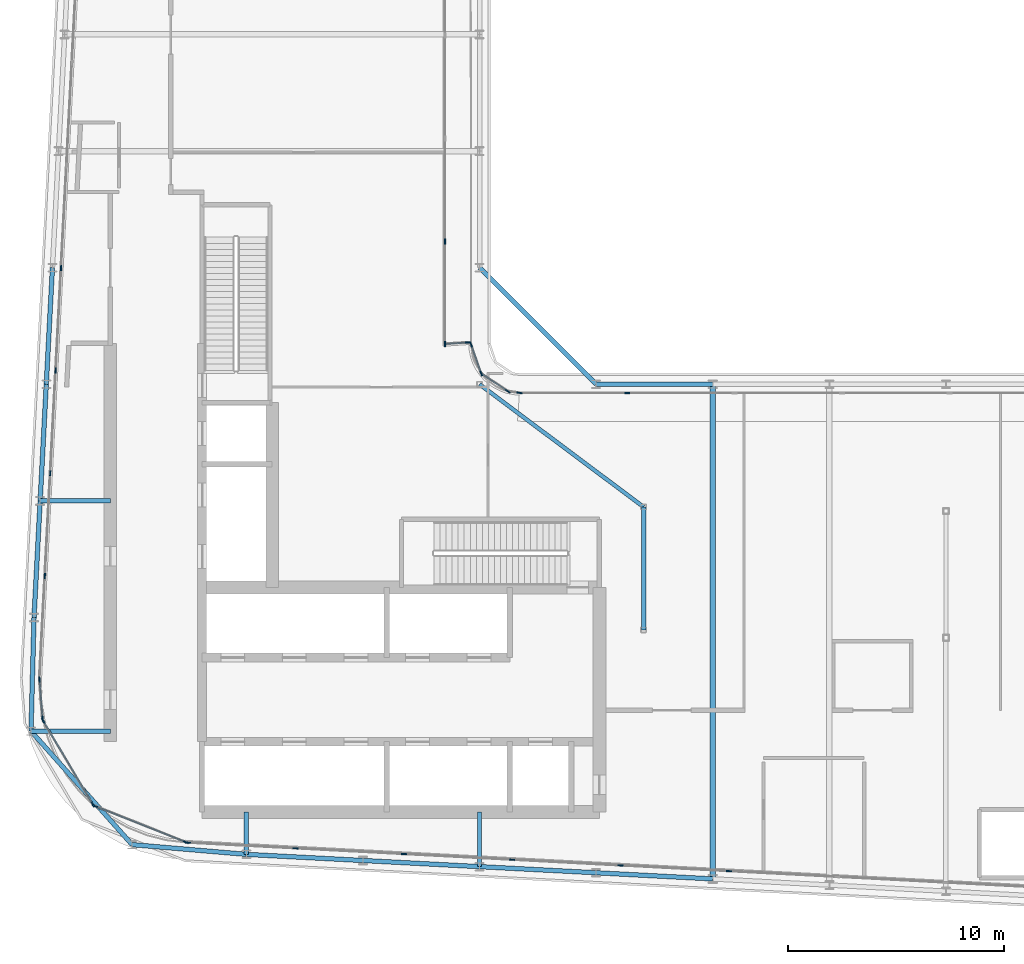
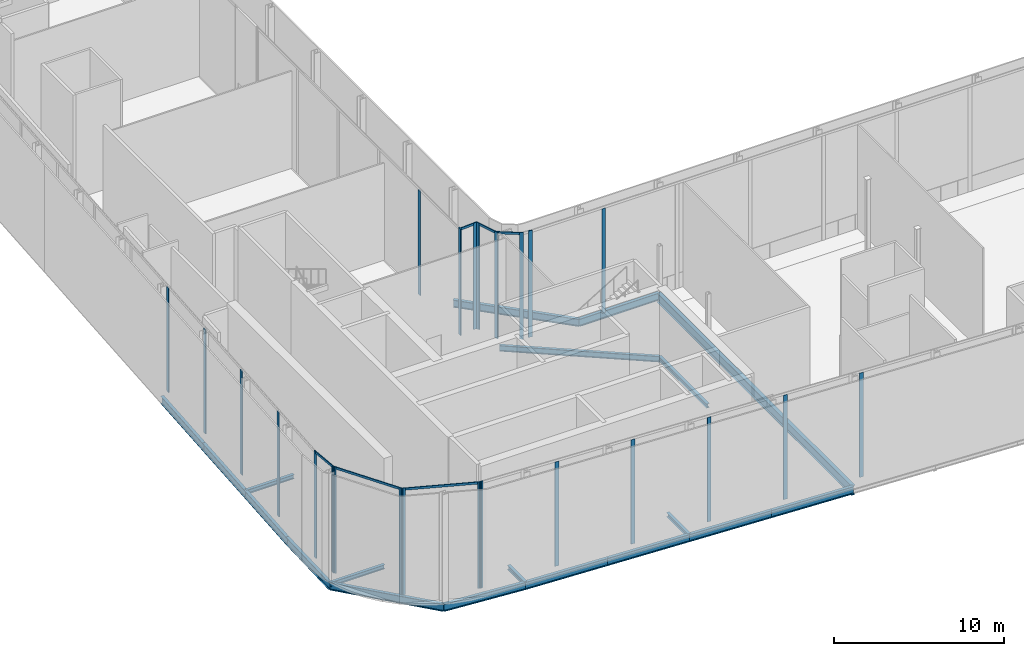
# One storey, part 5 of 27: 30 members, 19 beams, 11 elements without a shape of their own.
"""IFC4 building model written with IfcOpenShell, lengths in metres."""

from ifc_helpers import new_model, si_unit, direction, frame, origin, origin_2d, place, context, subcontext, project, spatial, rectangle, i_section, extrude, material, layer, layer_set, material_profile, profile_set, type_object, element, aggregate, save


model = new_model("IFC4")

# Units and contexts
model_context = context("Model", 3, precision=1e-05, world=origin(), true_north=direction((0.0, 1.0)))
body_context = subcontext(model_context, "Body", "Model", "MODEL_VIEW")
ifc_project = project(units=[si_unit("LENGTHUNIT", "METRE"), si_unit("AREAUNIT", "SQUARE_METRE"), si_unit("VOLUMEUNIT", "CUBIC_METRE"), si_unit("PLANEANGLEUNIT", "RADIAN"), si_unit("MASSUNIT", "GRAM", prefix="KILO")], contexts=[model_context])

# Site, building, storey
site_placement = place(None, origin())
site = spatial("IfcSite", under=ifc_project, at=site_placement, CompositionType="ELEMENT")
building_placement = place(site_placement, origin())
building = spatial("IfcBuilding", under=site, at=building_placement, Name="Kheshtan School and Residences Tower", CompositionType="ELEMENT")
storey_placement = place(building_placement, frame((0.0, 0.0, 266.89990234375)))
storey = spatial("IfcBuildingStorey", under=building, at=storey_placement, Name="L63", CompositionType="ELEMENT", Elevation=266.89990234375)

# Beams
ifc_material_1 = material(Name="Steel ASTM A992 Grade 50", Category="steel")
ifc_material_profile_1 = material_profile(ifc_material_1, i_section(OverallWidth=0.202880859375, OverallDepth=0.302978515625, WebThickness=0.007568359375, FlangeThickness=0.01318359375, FilletRadius=0.009033203125, at=origin_2d()), Name="W310x60")
ifc_profile_set_1 = profile_set([ifc_material_profile_1], Name="Steel ASTM A992 Grade 50")
beam_type_1 = type_object("IfcBeamType", Name="Beam FB1 W310x60 ASTM A992 Grade 50", PredefinedType="BEAM", material=ifc_profile_set_1)
beam_1_placement = place(storey_placement, frame((47.60009765625, 23.263916015625, -0.301513671875), z_axis=(0.0, 1.0, 0.0), x_axis=(-1.0, 0.0, 0.0)))
element("IfcBeam", 1, at=beam_1_placement, inside=storey, type_object=beam_type_1, Name="Floor beam C020", PredefinedType="BEAM", context=body_context, shape_type="SweptSolid", body=[
    extrude(i_section(OverallWidth=0.202880859375, OverallDepth=0.302978515625, WebThickness=0.007568359375, FlangeThickness=0.01318359375, FilletRadius=0.009033203125, at=origin_2d()), origin(), (0.0, 0.0, 1.0), 2.5361328125),
])
beam_2_placement = place(storey_placement, frame((36.800048828125, 23.83203125, -0.301513671875), z_axis=(0.0, 1.0, 0.0), x_axis=(-1.0, 0.0, 0.0)))
element("IfcBeam", 2, at=beam_2_placement, inside=storey, type_object=beam_type_1, Name="Floor beam C022", PredefinedType="BEAM", context=body_context, shape_type="SweptSolid", body=[
    extrude(i_section(OverallWidth=0.202880859375, OverallDepth=0.302978515625, WebThickness=0.007568359375, FlangeThickness=0.01318359375, FilletRadius=0.009033203125, at=origin_2d()), origin(), (0.0, 0.0, 1.0), 1.968017578125),
])
beam_3_placement = place(storey_placement, frame((26.830078125, 29.5380859375, -0.301513671875), z_axis=(1.0, 0.0, 0.0), x_axis=(0.0, 1.0, 0.0)))
element("IfcBeam", 3, at=beam_3_placement, inside=storey, type_object=beam_type_1, Name="Floor beam C043", PredefinedType="BEAM", context=body_context, shape_type="SweptSolid", body=[
    extrude(i_section(OverallWidth=0.202880859375, OverallDepth=0.302978515625, WebThickness=0.007568359375, FlangeThickness=0.01318359375, FilletRadius=0.009033203125, at=origin_2d()), origin(), (0.0, 0.0, 1.0), 3.669921875),
])
beam_4_placement = place(storey_placement, frame((27.2529296875, 40.199951171875, -0.301513671875), z_axis=(1.0, 0.0, 0.0), x_axis=(0.0, 1.0, 0.0)))
element("IfcBeam", 4, at=beam_4_placement, inside=storey, type_object=beam_type_1, Name="Floor beam C056", PredefinedType="BEAM", context=body_context, shape_type="SweptSolid", body=[
    extrude(i_section(OverallWidth=0.202880859375, OverallDepth=0.302978515625, WebThickness=0.007568359375, FlangeThickness=0.01318359375, FilletRadius=0.009033203125, at=origin_2d()), origin(), (0.0, 0.0, 1.0), 3.2470703125),
])
beam_5_placement = place(storey_placement, frame((55.199951171875, 34.23193359375, -0.301513671875), z_axis=(0.0, 1.0, 0.0), x_axis=(-1.0, 0.0, 0.0)))
element("IfcBeam", 5, at=beam_5_placement, inside=storey, type_object=beam_type_1, Name="Floor beam IC", PredefinedType="BEAM", context=body_context, shape_type="SweptSolid", body=[
    extrude(i_section(OverallWidth=0.202880859375, OverallDepth=0.302978515625, WebThickness=0.007568359375, FlangeThickness=0.01318359375, FilletRadius=0.009033203125, at=origin_2d()), origin(), (0.0, 0.0, 1.0), 5.68408203125),
])
ifc_material_profile_2 = material_profile(ifc_material_1, i_section(OverallWidth=0.180908203125, OverallDepth=0.4169921875, WebThickness=0.010986328125, FlangeThickness=0.018310546875, FilletRadius=0.012451171875, at=origin_2d()), Name="W410x85")
ifc_profile_set_2 = profile_set([ifc_material_profile_2], Name="Steel ASTM A992 Grade 50")
beam_type_2 = type_object("IfcBeamType", Name="Beam FB3 W410x85 ASTM A992 Grade 50", PredefinedType="BEAM", material=ifc_profile_set_2)
beam_6_placement = place(storey_placement, frame((47.60009765625, 45.60009765625, -0.3583984375), z_axis=(0.800798828004, -0.598933416222, 0.0), x_axis=(0.598933416222, 0.800798828004, 0.0)))
element("IfcBeam", 6, at=beam_6_placement, inside=storey, type_object=beam_type_2, Name="Floor beam IC", PredefinedType="BEAM", context=body_context, shape_type="SweptSolid", body=[
    extrude(i_section(OverallWidth=0.180908203125, OverallDepth=0.4169921875, WebThickness=0.010986328125, FlangeThickness=0.018310546875, FilletRadius=0.012451171875, at=origin_2d()), origin(), (0.0, 0.0, 1.0), 9.490234375),
])
ifc_material_profile_3 = material_profile(ifc_material_1, i_section(OverallWidth=0.2529296875, OverallDepth=0.677978515625, WebThickness=0.01171875, FlangeThickness=0.016357421875, FilletRadius=0.0146484375, at=origin_2d()), Name="W690x125")
ifc_profile_set_3 = profile_set([ifc_material_profile_3], Name="Steel ASTM A992 Grade 50")
beam_type_3 = type_object("IfcBeamType", Name="Beam FB6 W690x125 ASTM A992 Grade 50", PredefinedType="BEAM", material=ifc_profile_set_3)
beam_7_placement = place(storey_placement, frame((58.39990234375, 22.695068359375, -0.489013671875), z_axis=(0.0, 1.0, 0.0), x_axis=(-1.0, 0.0, 0.0)))
element("IfcBeam", 7, at=beam_7_placement, inside=storey, type_object=beam_type_3, Name="Floor beam C018", PredefinedType="BEAM", context=body_context, shape_type="SweptSolid", body=[
    extrude(i_section(OverallWidth=0.2529296875, OverallDepth=0.677978515625, WebThickness=0.01171875, FlangeThickness=0.016357421875, FilletRadius=0.0146484375, at=origin_2d()), origin(), (0.0, 0.0, 1.0), 22.905029296875),
])
ifc_material_profile_4 = material_profile(ifc_material_1, i_section(OverallWidth=0.208984375, OverallDepth=0.532958984375, WebThickness=0.01025390625, FlangeThickness=0.015625, FilletRadius=0.013916015625, at=origin_2d()), Name="W530x92")
ifc_profile_set_4 = profile_set([ifc_material_profile_4], Name="Steel ASTM A992 Grade 50")
beam_type_4 = type_object("IfcBeamType", Name="Beam SP3 W530x92 ASTM A992 Grade 50", PredefinedType="BEAM", material=ifc_profile_set_4)
beam_8_placement = place(storey_placement, frame((47.60009765625, 51.0, -0.41650390625), z_axis=(0.707106781187, -0.707106781187, 0.0), x_axis=(0.707106781187, 0.707106781187, 0.0)))
element("IfcBeam", 8, at=beam_8_placement, inside=storey, type_object=beam_type_4, Name="Spandrel beam C079-C061", PredefinedType="BEAM", context=body_context, shape_type="SweptSolid", body=[
    extrude(i_section(OverallWidth=0.208984375, OverallDepth=0.532958984375, WebThickness=0.01025390625, FlangeThickness=0.015625, FilletRadius=0.013916015625, at=origin_2d()), origin(), (0.0, 0.0, 1.0), 7.63671875),
])
beam_9_placement = place(storey_placement, frame((53.0, 45.60009765625, -0.41650390625), z_axis=(1.0, 0.0, 0.0), x_axis=(0.0, 1.0, 0.0)))
element("IfcBeam", 9, at=beam_9_placement, inside=storey, type_object=beam_type_4, Name="Spandrel beam C061-C062", PredefinedType="BEAM", context=body_context, shape_type="SweptSolid", body=[
    extrude(i_section(OverallWidth=0.208984375, OverallDepth=0.532958984375, WebThickness=0.01025390625, FlangeThickness=0.015625, FilletRadius=0.013916015625, at=origin_2d()), origin(), (0.0, 0.0, 1.0), 5.39990234375),
])
for number, where, z_axis, x_axis, name in (
    (10, (58.39990234375, 22.695068359375, -0.41650390625), (-0.998610961136, 0.052689166816, 0.0), (-0.052689166816, -0.998610961136, 0.0), "Spandrel beam C018-C019"),
    (11, (53.0, 22.97998046875, -0.41650390625), (-0.998620447272, 0.05250906864, 0.0), (-0.05250906864, -0.998620447272, 0.0), "Spandrel beam C019-C020"),
):
    element("IfcBeam", number, at=place(storey_placement, frame(where, z_axis=z_axis, x_axis=x_axis)), inside=storey, type_object=beam_type_4, Name=name, PredefinedType="BEAM", context=body_context, shape_type="SweptSolid", body=[
        extrude(i_section(OverallWidth=0.208984375, OverallDepth=0.532958984375, WebThickness=0.01025390625, FlangeThickness=0.015625, FilletRadius=0.013916015625, at=origin_2d()), origin(), (0.0, 0.0, 1.0), 5.407470703125),
    ])
beam_10_placement = place(storey_placement, frame((47.60009765625, 23.263916015625, -0.41650390625), z_axis=(-0.998618203458, 0.052551724256, 0.0), x_axis=(-0.052551724256, -0.998618203458, 0.0)))
element("IfcBeam", 12, at=beam_10_placement, inside=storey, type_object=beam_type_4, Name="Spandrel beam C020-C021", PredefinedType="BEAM", context=body_context, shape_type="SweptSolid", body=[
    extrude(i_section(OverallWidth=0.208984375, OverallDepth=0.532958984375, WebThickness=0.01025390625, FlangeThickness=0.015625, FilletRadius=0.013916015625, at=origin_2d()), origin(), (0.0, 0.0, 1.0), 5.40771484375),
])
beam_11_placement = place(storey_placement, frame((42.199951171875, 23.548095703125, -0.41650390625), z_axis=(-0.998620447272, 0.05250906864, 0.0), x_axis=(-0.05250906864, -0.998620447272, 0.0)))
element("IfcBeam", 13, at=beam_11_placement, inside=storey, type_object=beam_type_4, Name="Spandrel beam C021-C022", PredefinedType="BEAM", context=body_context, shape_type="SweptSolid", body=[
    extrude(i_section(OverallWidth=0.208984375, OverallDepth=0.532958984375, WebThickness=0.01025390625, FlangeThickness=0.015625, FilletRadius=0.013916015625, at=origin_2d()), origin(), (0.0, 0.0, 1.0), 5.407470703125),
])
beam_12_placement = place(storey_placement, frame((36.800048828125, 23.83203125, -0.41650390625), z_axis=(-0.996386672761, 0.084932904956, 0.0), x_axis=(-0.084932904956, -0.996386672761, 0.0)))
element("IfcBeam", 14, at=beam_12_placement, inside=storey, type_object=beam_type_4, Name="Spandrel beam C022-C030", PredefinedType="BEAM", context=body_context, shape_type="SweptSolid", body=[
    extrude(i_section(OverallWidth=0.208984375, OverallDepth=0.532958984375, WebThickness=0.01025390625, FlangeThickness=0.015625, FilletRadius=0.013916015625, at=origin_2d()), origin(), (0.0, 0.0, 1.0), 5.309326171875),
])
beam_13_placement = place(storey_placement, frame((31.510009765625, 24.282958984375, -0.41650390625), z_axis=(-0.66505480847, 0.746794551219, 0.0), x_axis=(-0.746794551219, -0.66505480847, 0.0)))
element("IfcBeam", 15, at=beam_13_placement, inside=storey, type_object=beam_type_4, Name="Spandrel beam C030-C043", PredefinedType="BEAM", context=body_context, shape_type="SweptSolid", body=[
    extrude(i_section(OverallWidth=0.208984375, OverallDepth=0.532958984375, WebThickness=0.01025390625, FlangeThickness=0.015625, FilletRadius=0.013916015625, at=origin_2d()), origin(), (0.0, 0.0, 1.0), 7.036865234375),
])
beam_14_placement = place(storey_placement, frame((26.830078125, 29.5380859375, -0.41650390625), z_axis=(0.026390842013, 0.999651701073, 0.0), x_axis=(-0.999651701073, 0.026390842013, 0.0)))
element("IfcBeam", 16, at=beam_14_placement, inside=storey, type_object=beam_type_4, Name="Spandrel beam C043-C052", PredefinedType="BEAM", context=body_context, shape_type="SweptSolid", body=[
    extrude(i_section(OverallWidth=0.208984375, OverallDepth=0.532958984375, WebThickness=0.01025390625, FlangeThickness=0.015625, FilletRadius=0.013916015625, at=origin_2d()), origin(), (0.0, 0.0, 1.0), 5.263916015625),
])
beam_15_placement = place(storey_placement, frame((26.968994140625, 34.800048828125, -0.41650390625), z_axis=(0.05250906864, 0.998620447272, 0.0), x_axis=(-0.998620447272, 0.05250906864, 0.0)))
element("IfcBeam", 17, at=beam_15_placement, inside=storey, type_object=beam_type_4, Name="Spandrel beam C052-C056", PredefinedType="BEAM", context=body_context, shape_type="SweptSolid", body=[
    extrude(i_section(OverallWidth=0.208984375, OverallDepth=0.532958984375, WebThickness=0.01025390625, FlangeThickness=0.015625, FilletRadius=0.013916015625, at=origin_2d()), origin(), (0.0, 0.0, 1.0), 5.407470703125),
])
beam_16_placement = place(storey_placement, frame((27.2529296875, 40.199951171875, -0.41650390625), z_axis=(0.052551724256, 0.998618203458, 0.0), x_axis=(-0.998618203458, 0.052551724256, 0.0)))
element("IfcBeam", 18, at=beam_16_placement, inside=storey, type_object=beam_type_4, Name="Spandrel beam C056-C059", PredefinedType="BEAM", context=body_context, shape_type="SweptSolid", body=[
    extrude(i_section(OverallWidth=0.208984375, OverallDepth=0.532958984375, WebThickness=0.01025390625, FlangeThickness=0.015625, FilletRadius=0.013916015625, at=origin_2d()), origin(), (0.0, 0.0, 1.0), 5.40771484375),
])
beam_17_placement = place(storey_placement, frame((27.537109375, 45.60009765625, -0.41650390625), z_axis=(0.052689166816, 0.998610961136, 0.0), x_axis=(-0.998610961136, 0.052689166816, 0.0)))
element("IfcBeam", 19, at=beam_17_placement, inside=storey, type_object=beam_type_4, Name="Spandrel beam C059-C078", PredefinedType="BEAM", context=body_context, shape_type="SweptSolid", body=[
    extrude(i_section(OverallWidth=0.208984375, OverallDepth=0.532958984375, WebThickness=0.01025390625, FlangeThickness=0.015625, FilletRadius=0.013916015625, at=origin_2d()), origin(), (0.0, 0.0, 1.0), 5.407470703125),
])

# Curtain wall, members
ifc_material_2 = material(Name="Clear low-e glass in thermally broken aluminium frame", Category="aluminium")
ifc_layer_1 = layer(ifc_material_2, 0.25)
ifc_layer_set_1 = layer_set([ifc_layer_1], Name="Curtain wall CW-G")
curtain_wall_type_1 = type_object("IfcCurtainWallType", Name="Curtain wall CW-G", PredefinedType="NOTDEFINED", material=ifc_layer_set_1)
curtain_wall_1_placement = place(storey_placement, origin())
curtain_wall_1 = element("IfcCurtainWall", 20, at=curtain_wall_1_placement, inside=storey, type_object=curtain_wall_type_1, Name="Curtain wall CWG19c", PredefinedType="NOTDEFINED")
ifc_material_3 = material(Name="Thermally broken aluminium, dark bronze anodised", Category="aluminium")
ifc_material_profile_5 = material_profile(ifc_material_3, rectangle(XDim=0.06005859375, YDim=0.25, at=origin_2d()), Name="CW-G mullion 60x250")
ifc_profile_set_5 = profile_set([ifc_material_profile_5], Name="Thermally broken aluminium, dark bronze anodised")
member_type_1 = type_object("IfcMemberType", Name="CW-G mullion 60x250", PredefinedType="MULLION", material=ifc_profile_set_5)
member_1_placement = place(storey_placement, frame((46.0, 52.2041015625, 0.0), z_axis=(0.0, 0.0, 1.0), x_axis=(1.0, 0.0, 0.0)))
member_1 = element("IfcMember", 21, at=member_1_placement, type_object=member_type_1, Name="CWG19c mullion 5", PredefinedType="MULLION", context=body_context, shape_type="SweptSolid", body=[
    extrude(rectangle(XDim=0.06005859375, YDim=0.25, at=origin_2d()), origin(), (0.0, 0.0, 1.0), 7.489990234375),
])
member_2_placement = place(storey_placement, frame((46.0, 47.4599609375, 0.0), z_axis=(0.0, 0.0, 1.0), x_axis=(1.0, 0.0, 0.0)))
member_2 = element("IfcMember", 22, at=member_2_placement, type_object=member_type_1, Name="CWG19c mullion 6", PredefinedType="MULLION", context=body_context, shape_type="SweptSolid", body=[
    extrude(rectangle(XDim=0.06005859375, YDim=0.25, at=origin_2d()), origin(), (0.0, 0.0, 1.0), 7.650146484375),
])
aggregate(curtain_wall_1, [member_1, member_2])

ifc_layer_2 = layer(ifc_material_2, 0.25)
ifc_layer_set_2 = layer_set([ifc_layer_2], Name="Curtain wall CW-K")
curtain_wall_type_2 = type_object("IfcCurtainWallType", Name="Curtain wall CW-K", PredefinedType="NOTDEFINED", material=ifc_layer_set_2)
curtain_wall_2_placement = place(storey_placement, origin())
curtain_wall_2 = element("IfcCurtainWall", 23, at=curtain_wall_2_placement, inside=storey, type_object=curtain_wall_type_2, Name="Curtain wall CWK6a", PredefinedType="NOTDEFINED")
ifc_material_profile_6 = material_profile(ifc_material_3, rectangle(XDim=0.06005859375, YDim=0.25, at=origin_2d()), Name="CW-K mullion 60x250")
ifc_profile_set_6 = profile_set([ifc_material_profile_6], Name="Thermally broken aluminium, dark bronze anodised")
member_type_2 = type_object("IfcMemberType", Name="CW-K mullion 60x250", PredefinedType="MULLION", material=ifc_profile_set_6)
member_3_placement = place(storey_placement, frame((59.146728515625, 23.056640625, 0.0), z_axis=(0.0, 0.0, 1.0), x_axis=(-0.052566145875, -0.998617444424, 0.0)))
member_3 = element("IfcMember", 24, at=member_3_placement, type_object=member_type_2, Name="CWK6a mullion 6", PredefinedType="MULLION", context=body_context, shape_type="SweptSolid", body=[
    extrude(rectangle(XDim=0.06005859375, YDim=0.25, at=origin_2d()), origin(), (0.0, 0.0, 1.0), 7.489990234375),
])
member_4_placement = place(storey_placement, frame((54.129638671875, 23.32080078125, 0.0), z_axis=(0.0, 0.0, 1.0), x_axis=(-0.052566145875, -0.998617444424, 0.0)))
member_4 = element("IfcMember", 25, at=member_4_placement, type_object=member_type_2, Name="CWK6a mullion 7", PredefinedType="MULLION", context=body_context, shape_type="SweptSolid", body=[
    extrude(rectangle(XDim=0.06005859375, YDim=0.25, at=origin_2d()), origin(), (0.0, 0.0, 1.0), 7.489990234375),
])
member_5_placement = place(storey_placement, frame((49.1123046875, 23.584716796875, 0.0), z_axis=(0.0, 0.0, 1.0), x_axis=(-0.052566145875, -0.998617444424, 0.0)))
member_5 = element("IfcMember", 26, at=member_5_placement, type_object=member_type_2, Name="CWK6a mullion 8", PredefinedType="MULLION", context=body_context, shape_type="SweptSolid", body=[
    extrude(rectangle(XDim=0.06005859375, YDim=0.25, at=origin_2d()), origin(), (0.0, 0.0, 1.0), 7.489990234375),
])
member_6_placement = place(storey_placement, frame((44.09521484375, 23.848876953125, 0.0), z_axis=(0.0, 0.0, 1.0), x_axis=(-0.052566145875, -0.998617444424, 0.0)))
member_6 = element("IfcMember", 27, at=member_6_placement, type_object=member_type_2, Name="CWK6a mullion 9", PredefinedType="MULLION", context=body_context, shape_type="SweptSolid", body=[
    extrude(rectangle(XDim=0.06005859375, YDim=0.25, at=origin_2d()), origin(), (0.0, 0.0, 1.0), 7.489990234375),
])
member_7_placement = place(storey_placement, frame((39.077880859375, 24.113037109375, 0.0), z_axis=(0.0, 0.0, 1.0), x_axis=(-0.052566145875, -0.998617444424, 0.0)))
member_7 = element("IfcMember", 28, at=member_7_placement, type_object=member_type_2, Name="CWK6a mullion 10", PredefinedType="MULLION", context=body_context, shape_type="SweptSolid", body=[
    extrude(rectangle(XDim=0.06005859375, YDim=0.25, at=origin_2d()), origin(), (0.0, 0.0, 1.0), 7.489990234375),
])
member_8_placement = place(storey_placement, frame((34.0908203125, 24.37548828125, 0.0), z_axis=(0.0, 0.0, 1.0), x_axis=(-0.052566145875, -0.998617444424, 0.0)))
member_8 = element("IfcMember", 29, at=member_8_placement, type_object=member_type_2, Name="CWK6a mullion 11", PredefinedType="MULLION", context=body_context, shape_type="SweptSolid", body=[
    extrude(rectangle(XDim=0.06005859375, YDim=0.25, at=origin_2d()), origin(), (0.0, 0.0, 1.0), 7.650146484375),
])
aggregate(curtain_wall_2, [member_3, member_4, member_5, member_6, member_7, member_8])

curtain_wall_3_placement = place(storey_placement, origin())
curtain_wall_3 = element("IfcCurtainWall", 30, at=curtain_wall_3_placement, inside=storey, type_object=curtain_wall_type_2, Name="Curtain wall CWK7a", PredefinedType="NOTDEFINED")
member_9_placement = place(storey_placement, frame((34.001220703125, 24.39501953125, 0.0), z_axis=(0.0, 0.0, 1.0), x_axis=(-0.369099336022, -0.929389950531, 0.0)))
member_9 = element("IfcMember", 31, at=member_9_placement, type_object=member_type_2, Name="CWK7a mullion 1", PredefinedType="MULLION", context=body_context, shape_type="SweptSolid", body=[
    extrude(rectangle(XDim=0.06005859375, YDim=0.25, at=origin_2d()), origin(), (0.0, 0.0, 1.0), 7.650146484375),
])
member_10_placement = place(storey_placement, frame((29.7890625, 26.06787109375, 0.0), z_axis=(0.0, 0.0, 1.0), x_axis=(-0.369099336022, -0.929389950531, 0.0)))
member_10 = element("IfcMember", 32, at=member_10_placement, type_object=member_type_2, Name="CWK7a mullion 2", PredefinedType="MULLION", context=body_context, shape_type="SweptSolid", body=[
    extrude(rectangle(XDim=0.06005859375, YDim=0.25, at=origin_2d()), origin(), (0.0, 0.0, 1.0), 7.650146484375),
])

curtain_wall_4_placement = place(storey_placement, origin())
curtain_wall_4 = element("IfcCurtainWall", 33, at=curtain_wall_4_placement, inside=storey, type_object=curtain_wall_type_2, Name="Curtain wall CWK8a", PredefinedType="NOTDEFINED")
member_11_placement = place(storey_placement, frame((29.69677734375, 26.146728515625, 0.0), z_axis=(0.0, 0.0, 1.0), x_axis=(-0.85953588802, -0.511075392878, 0.0)))
member_11 = element("IfcMember", 34, at=member_11_placement, type_object=member_type_2, Name="CWK8a mullion 1", PredefinedType="MULLION", context=body_context, shape_type="SweptSolid", body=[
    extrude(rectangle(XDim=0.06005859375, YDim=0.25, at=origin_2d()), origin(), (0.0, 0.0, 1.0), 7.650146484375),
])
member_12_placement = place(storey_placement, frame((27.395263671875, 30.01708984375, 0.0), z_axis=(0.0, 0.0, 1.0), x_axis=(-0.85953588802, -0.511075392878, 0.0)))
member_12 = element("IfcMember", 35, at=member_12_placement, type_object=member_type_2, Name="CWK8a mullion 2", PredefinedType="MULLION", context=body_context, shape_type="SweptSolid", body=[
    extrude(rectangle(XDim=0.06005859375, YDim=0.25, at=origin_2d()), origin(), (0.0, 0.0, 1.0), 7.650146484375),
])

curtain_wall_5_placement = place(storey_placement, origin())
curtain_wall_5 = element("IfcCurtainWall", 36, at=curtain_wall_5_placement, inside=storey, type_object=curtain_wall_type_2, Name="Curtain wall CWK9a", PredefinedType="NOTDEFINED")
member_13_placement = place(storey_placement, frame((27.364013671875, 30.1162109375, 0.0), z_axis=(0.0, 0.0, 1.0), x_axis=(-0.996988506678, -0.077549452299, 0.0)))
member_13 = element("IfcMember", 37, at=member_13_placement, type_object=member_type_2, Name="CWK9a mullion 1", PredefinedType="MULLION", context=body_context, shape_type="SweptSolid", body=[
    extrude(rectangle(XDim=0.06005859375, YDim=0.25, at=origin_2d()), origin(), (0.0, 0.0, 1.0), 7.650146484375),
])
member_14_placement = place(storey_placement, frame((27.22265625, 31.933349609375, 0.0), z_axis=(0.0, 0.0, 1.0), x_axis=(-0.996988506678, -0.077549452299, 0.0)))
member_14 = element("IfcMember", 38, at=member_14_placement, type_object=member_type_2, Name="CWK9a mullion 2", PredefinedType="MULLION", context=body_context, shape_type="SweptSolid", body=[
    extrude(rectangle(XDim=0.06005859375, YDim=0.25, at=origin_2d()), origin(), (0.0, 0.0, 1.0), 7.650146484375),
])

curtain_wall_6_placement = place(storey_placement, origin())
curtain_wall_6 = element("IfcCurtainWall", 39, at=curtain_wall_6_placement, inside=storey, type_object=curtain_wall_type_2, Name="Curtain wall CWK10a", PredefinedType="NOTDEFINED")
member_15_placement = place(storey_placement, frame((27.47021484375, 36.728515625, 0.0), z_axis=(0.0, 0.0, 1.0), x_axis=(-0.998617497599, 0.05256513568, 0.0)))
member_15 = element("IfcMember", 40, at=member_15_placement, type_object=member_type_2, Name="CWK10a mullion 2", PredefinedType="MULLION", context=body_context, shape_type="SweptSolid", body=[
    extrude(rectangle(XDim=0.06005859375, YDim=0.25, at=origin_2d()), origin(), (0.0, 0.0, 1.0), 7.489990234375),
])
member_16_placement = place(storey_placement, frame((27.720458984375, 41.48046875, 0.0), z_axis=(0.0, 0.0, 1.0), x_axis=(-0.998617497599, 0.05256513568, 0.0)))
member_16 = element("IfcMember", 41, at=member_16_placement, type_object=member_type_2, Name="CWK10a mullion 3", PredefinedType="MULLION", context=body_context, shape_type="SweptSolid", body=[
    extrude(rectangle(XDim=0.06005859375, YDim=0.25, at=origin_2d()), origin(), (0.0, 0.0, 1.0), 7.489990234375),
])
member_17_placement = place(storey_placement, frame((27.970458984375, 46.232666015625, 0.0), z_axis=(0.0, 0.0, 1.0), x_axis=(-0.998617497599, 0.05256513568, 0.0)))
member_17 = element("IfcMember", 42, at=member_17_placement, type_object=member_type_2, Name="CWK10a mullion 4", PredefinedType="MULLION", context=body_context, shape_type="SweptSolid", body=[
    extrude(rectangle(XDim=0.06005859375, YDim=0.25, at=origin_2d()), origin(), (0.0, 0.0, 1.0), 7.489990234375),
])
member_18_placement = place(storey_placement, frame((28.220703125, 50.98486328125, 0.0), z_axis=(0.0, 0.0, 1.0), x_axis=(-0.998617497599, 0.05256513568, 0.0)))
member_18 = element("IfcMember", 43, at=member_18_placement, type_object=member_type_2, Name="CWK10a mullion 5", PredefinedType="MULLION", context=body_context, shape_type="SweptSolid", body=[
    extrude(rectangle(XDim=0.06005859375, YDim=0.25, at=origin_2d()), origin(), (0.0, 0.0, 1.0), 7.489990234375),
])
aggregate(curtain_wall_6, [member_15, member_16, member_17, member_18])

# Curtain wall, member
curtain_wall_7_placement = place(storey_placement, origin())
curtain_wall_7 = element("IfcCurtainWall", 44, at=curtain_wall_7_placement, inside=storey, type_object=curtain_wall_type_2, Name="Curtain wall CWK20a", PredefinedType="NOTDEFINED")
member_19_placement = place(storey_placement, frame((47.0654296875, 47.537841796875, 0.0), z_axis=(0.0, 0.0, 1.0), x_axis=(-0.065855059944, 0.997829199352, 0.0)))
member_19 = element("IfcMember", 45, at=member_19_placement, type_object=member_type_2, Name="CWK20a mullion 2", PredefinedType="MULLION", context=body_context, shape_type="SweptSolid", body=[
    extrude(rectangle(XDim=0.06005859375, YDim=0.25, at=origin_2d()), origin(), (0.0, 0.0, 1.0), 7.650146484375),
])

# Curtain wall, members
curtain_wall_8_placement = place(storey_placement, origin())
curtain_wall_8 = element("IfcCurtainWall", 46, at=curtain_wall_8_placement, inside=storey, type_object=curtain_wall_type_2, Name="Curtain wall CWK21a", PredefinedType="NOTDEFINED")
member_20_placement = place(storey_placement, frame((47.206298828125, 47.44482421875, 0.0), z_axis=(0.0, 0.0, 1.0), x_axis=(0.943511360053, 0.331340177841, 0.0)))
member_20 = element("IfcMember", 47, at=member_20_placement, type_object=member_type_2, Name="CWK21a mullion 1", PredefinedType="MULLION", context=body_context, shape_type="SweptSolid", body=[
    extrude(rectangle(XDim=0.06005859375, YDim=0.25, at=origin_2d()), origin(), (0.0, 0.0, 1.0), 7.650146484375),
])
member_21_placement = place(storey_placement, frame((47.678466796875, 46.100341796875, 0.0), z_axis=(0.0, 0.0, 1.0), x_axis=(0.943511360053, 0.331340177841, 0.0)))
member_21 = element("IfcMember", 48, at=member_21_placement, type_object=member_type_2, Name="CWK21a mullion 2", PredefinedType="MULLION", context=body_context, shape_type="SweptSolid", body=[
    extrude(rectangle(XDim=0.06005859375, YDim=0.25, at=origin_2d()), origin(), (0.0, 0.0, 1.0), 7.650146484375),
])

# Curtain wall, member
curtain_wall_9_placement = place(storey_placement, origin())
curtain_wall_9 = element("IfcCurtainWall", 49, at=curtain_wall_9_placement, inside=storey, type_object=curtain_wall_type_2, Name="Curtain wall CWK22a", PredefinedType="NOTDEFINED")
member_22_placement = place(storey_placement, frame((48.90966796875, 45.27978515625, 0.0), z_axis=(0.0, 0.0, 1.0), x_axis=(0.555744859586, 0.831352904033, 0.0)))
member_22 = element("IfcMember", 50, at=member_22_placement, type_object=member_type_2, Name="CWK22a mullion 2", PredefinedType="MULLION", context=body_context, shape_type="SweptSolid", body=[
    extrude(rectangle(XDim=0.06005859375, YDim=0.25, at=origin_2d()), origin(), (0.0, 0.0, 1.0), 7.650146484375),
])

curtain_wall_10_placement = place(storey_placement, origin())
curtain_wall_10 = element("IfcCurtainWall", 51, at=curtain_wall_10_placement, inside=storey, type_object=curtain_wall_type_2, Name="Curtain wall CWK23a", PredefinedType="NOTDEFINED")
member_23_placement = place(storey_placement, frame((49.45263671875, 45.203125, 0.0), z_axis=(0.0, 0.0, 1.0), x_axis=(0.134363672971, 0.99093208818, 0.0)))
member_23 = element("IfcMember", 52, at=member_23_placement, type_object=member_type_2, Name="CWK23a mullion 2", PredefinedType="MULLION", context=body_context, shape_type="SweptSolid", body=[
    extrude(rectangle(XDim=0.06005859375, YDim=0.25, at=origin_2d()), origin(), (0.0, 0.0, 1.0), 7.650146484375),
])
aggregate(curtain_wall_10, [member_23])

curtain_wall_11_placement = place(storey_placement, origin())
curtain_wall_11 = element("IfcCurtainWall", 53, at=curtain_wall_11_placement, inside=storey, type_object=curtain_wall_type_2, Name="Curtain wall CWK24a", PredefinedType="NOTDEFINED")
member_24_placement = place(storey_placement, frame((54.440673828125, 45.199951171875, 0.0), z_axis=(0.0, 0.0, 1.0), x_axis=(0.0, 1.0, 0.0)))
member_24 = element("IfcMember", 54, at=member_24_placement, type_object=member_type_2, Name="CWK24a mullion 2", PredefinedType="MULLION", context=body_context, shape_type="SweptSolid", body=[
    extrude(rectangle(XDim=0.06005859375, YDim=0.25, at=origin_2d()), origin(), (0.0, 0.0, 1.0), 7.489990234375),
])
aggregate(curtain_wall_11, [member_24])

# Member
ifc_material_profile_7 = material_profile(ifc_material_3, rectangle(XDim=0.06005859375, YDim=0.159912109375, at=origin_2d()), Name="CW-K transom 60x160")
ifc_profile_set_7 = profile_set([ifc_material_profile_7], Name="Thermally broken aluminium, dark bronze anodised")
member_type_3 = type_object("IfcMemberType", Name="CW-K transom 60x160", PredefinedType="USERDEFINED", material=ifc_profile_set_7)
member_25_placement = place(storey_placement, frame((33.973388671875, 24.40625, 7.570068359375), z_axis=(-0.929396211553, 0.369083570415, 0.0), x_axis=(-0.369083570415, -0.929396211553, 0.0)))
member_25 = element("IfcMember", 55, at=member_25_placement, type_object=member_type_3, Name="CWK7a transom 1", ObjectType="TRANSOM", PredefinedType="USERDEFINED", context=body_context, shape_type="SweptSolid", body=[
    extrude(rectangle(XDim=0.06005859375, YDim=0.159912109375, at=origin_2d()), origin(), (0.0, 0.0, 1.0), 4.47216796875),
])

aggregate(curtain_wall_3, [member_9, member_10, member_25])

member_26_placement = place(storey_placement, frame((29.681396484375, 26.17236328125, 7.570068359375), z_axis=(-0.511089656668, 0.859527406688, 0.0), x_axis=(-0.859527406688, -0.511089656668, 0.0)))
member_26 = element("IfcMember", 56, at=member_26_placement, type_object=member_type_3, Name="CWK8a transom 1", ObjectType="TRANSOM", PredefinedType="USERDEFINED", context=body_context, shape_type="SweptSolid", body=[
    extrude(rectangle(XDim=0.06005859375, YDim=0.159912109375, at=origin_2d()), origin(), (0.0, 0.0, 1.0), 4.44287109375),
])

aggregate(curtain_wall_4, [member_11, member_12, member_26])

member_27_placement = place(storey_placement, frame((27.361572265625, 30.14599609375, 7.570068359375), z_axis=(-0.077565002269, 0.996987297022, 0.0), x_axis=(-0.996987297022, -0.077565002269, 0.0)))
member_27 = element("IfcMember", 57, at=member_27_placement, type_object=member_type_3, Name="CWK9a transom 1", ObjectType="TRANSOM", PredefinedType="USERDEFINED", context=body_context, shape_type="SweptSolid", body=[
    extrude(rectangle(XDim=0.06005859375, YDim=0.159912109375, at=origin_2d()), origin(), (0.0, 0.0, 1.0), 1.7626953125),
])

aggregate(curtain_wall_5, [member_13, member_14, member_27])

member_28_placement = place(storey_placement, frame((46.029541015625, 47.469482421875, 7.570068359375), z_axis=(0.997828867029, 0.065860095082, 0.0), x_axis=(-0.065860095082, 0.997828867029, 0.0)))
member_28 = element("IfcMember", 58, at=member_28_placement, type_object=member_type_3, Name="CWK20a transom 1", ObjectType="TRANSOM", PredefinedType="USERDEFINED", context=body_context, shape_type="SweptSolid", body=[
    extrude(rectangle(XDim=0.06005859375, YDim=0.159912109375, at=origin_2d()), origin(), (0.0, 0.0, 1.0), 1.00830078125),
])

aggregate(curtain_wall_7, [member_19, member_28])

member_29_placement = place(storey_placement, frame((47.21630859375, 47.41650390625, 7.570068359375), z_axis=(0.33126652768, -0.94353722112, 0.0), x_axis=(0.94353722112, 0.33126652768, 0.0)))
member_29 = element("IfcMember", 59, at=member_29_placement, type_object=member_type_3, Name="CWK21a transom 1", ObjectType="TRANSOM", PredefinedType="USERDEFINED", context=body_context, shape_type="SweptSolid", body=[
    extrude(rectangle(XDim=0.06005859375, YDim=0.159912109375, at=origin_2d()), origin(), (0.0, 0.0, 1.0), 1.364990234375),
])

aggregate(curtain_wall_8, [member_20, member_21, member_29])

member_30_placement = place(storey_placement, frame((47.70458984375, 46.08544921875, 7.570068359375), z_axis=(0.831308753347, -0.555810900045, 0.0), x_axis=(0.555810900045, 0.831308753347, 0.0)))
member_30 = element("IfcMember", 60, at=member_30_placement, type_object=member_type_3, Name="CWK22a transom 1", ObjectType="TRANSOM", PredefinedType="USERDEFINED", context=body_context, shape_type="SweptSolid", body=[
    extrude(rectangle(XDim=0.06005859375, YDim=0.159912109375, at=origin_2d()), origin(), (0.0, 0.0, 1.0), 1.419677734375),
])

aggregate(curtain_wall_9, [member_22, member_30])

save(model, "model.ifc")
